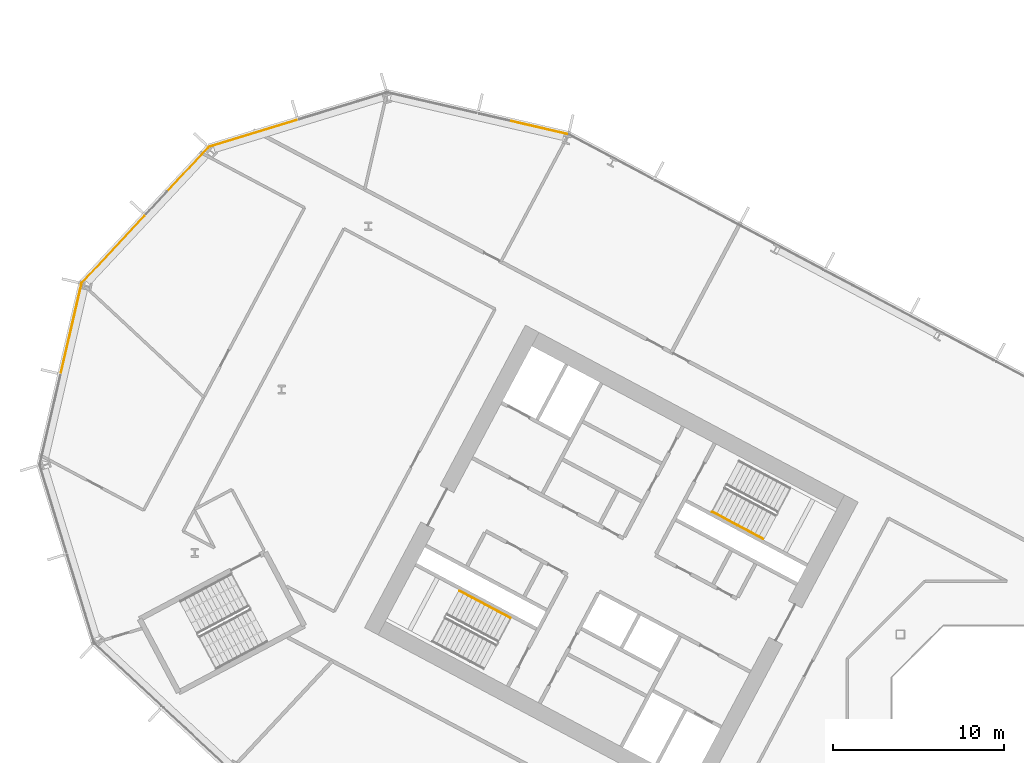
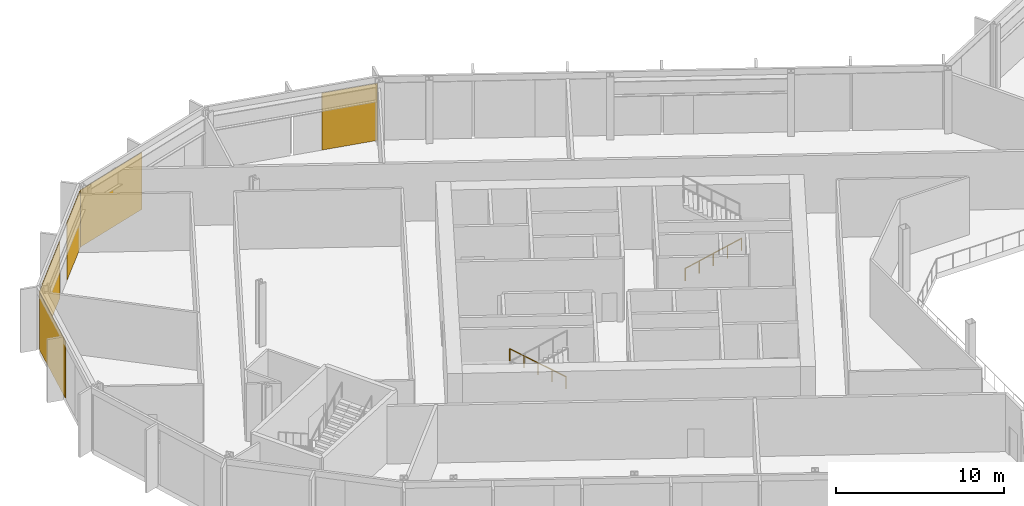
# One storey, part 24 of 31: 5 coverings, 2 railings, 4 elements without a shape of their own.
"""IFC4 building model written with IfcOpenShell, lengths in metres."""

from ifc_helpers import new_model, si_unit, direction, frame, origin, origin_2d, place, context, subcontext, project, spatial, polyline, rectangle, outline, extrude, material, layer, layer_set, type_object, element, aggregate, save


model = new_model("IFC4")

# Units and contexts
model_context = context("Model", 3, precision=1e-05, world=origin(), true_north=direction((0.0, 1.0)))
body_context = subcontext(model_context, "Body", "Model", "MODEL_VIEW")
ifc_project = project(units=[si_unit("LENGTHUNIT", "METRE"), si_unit("AREAUNIT", "SQUARE_METRE"), si_unit("VOLUMEUNIT", "CUBIC_METRE"), si_unit("PLANEANGLEUNIT", "RADIAN"), si_unit("MASSUNIT", "GRAM", prefix="KILO")], contexts=[model_context])

# Site, building, storey
site_placement = place(None, origin())
site = spatial("IfcSite", under=ifc_project, at=site_placement, CompositionType="ELEMENT")
building_placement = place(site_placement, origin())
building = spatial("IfcBuilding", under=site, at=building_placement, Name="Cormorant Relay Tower", CompositionType="ELEMENT")
storey_placement = place(building_placement, frame((0.0, 0.0, 93.800048828125)))
storey = spatial("IfcBuildingStorey", under=building, at=storey_placement, Name="L18", CompositionType="ELEMENT", Elevation=93.800048828125)

# Curtain wall, covering
ifc_material_1 = material(Name="Aluminium 6063-T6 anodised bronze", Category="aluminium")
ifc_layer_1 = layer(ifc_material_1, 0.199951171875)
ifc_layer_set_1 = layer_set([ifc_layer_1], Name="CW1 unitised bronze curtain wall with vertical fins")
curtain_wall_type = type_object("IfcCurtainWallType", Name="CW1 unitised bronze curtain wall with vertical fins", PredefinedType="NOTDEFINED", material=ifc_layer_set_1)
curtain_wall_1_placement = place(storey_placement, origin())
curtain_wall_1 = element("IfcCurtainWall", 1, at=curtain_wall_1_placement, inside=storey, type_object=curtain_wall_type, Name="CW1 curtain wall 8", PredefinedType="NOTDEFINED")
ifc_material_2 = material(Name="Pale bronze anodised aluminium insulated panel", Category="aluminium")
ifc_layer_2 = layer(ifc_material_2, 0.0400390625)
ifc_layer_set_2 = layer_set([ifc_layer_2], Name="CW1 pale bronze insulated panel 40")
covering_type = type_object("IfcCoveringType", Name="CW1 pale bronze insulated panel 40", PredefinedType="CLADDING", material=ifc_layer_set_2)
covering_1_placement = place(storey_placement, frame((-31.640380859375, 40.096435546875, 0.0), z_axis=(0.0, 0.0, 1.0), x_axis=(-0.974370064785, 0.224951054344, 0.0)))
covering_1 = element("IfcCovering", 2, at=covering_1_placement, type_object=covering_type, Name="CW1 panel S00", PredefinedType="CLADDING", context=body_context, shape_type="SweptSolid", body=[
    extrude(rectangle(XDim=3.485107421875, YDim=0.0400390625, at=origin_2d()), origin(), (0.0, 0.0, 1.0), 4.14990234375),
])
aggregate(curtain_wall_1, [covering_1])

curtain_wall_2_placement = place(storey_placement, origin())
curtain_wall_2 = element("IfcCurtainWall", 3, at=curtain_wall_2_placement, inside=storey, type_object=curtain_wall_type, Name="CW1 curtain wall 9", PredefinedType="NOTDEFINED")
covering_2_placement = place(storey_placement, frame((-48.3037109375, 39.73779296875, 0.0), z_axis=(0.0, 0.0, 1.0), x_axis=(-0.956304755963, -0.292371704723, 0.0)))
covering_2 = element("IfcCovering", 4, at=covering_2_placement, type_object=covering_type, Name="CW1 panel S02", PredefinedType="CLADDING", context=body_context, shape_type="SweptSolid", body=[
    extrude(rectangle(XDim=5.360107421875, YDim=0.0400390625, at=origin_2d()), origin(), (0.0, 0.0, 1.0), 4.14990234375),
])
aggregate(curtain_wall_2, [covering_2])

# Curtain wall, coverings
curtain_wall_3_placement = place(storey_placement, origin())
curtain_wall_3 = element("IfcCurtainWall", 5, at=curtain_wall_3_placement, inside=storey, type_object=curtain_wall_type, Name="CW1 curtain wall 10", PredefinedType="NOTDEFINED")
covering_3_placement = place(storey_placement, frame((-52.115234375, 37.61962890625, 0.0), z_axis=(0.0, 0.0, 1.0), x_axis=(-0.681998360062, -0.731353701619, 0.0)))
covering_3 = element("IfcCovering", 6, at=covering_3_placement, type_object=covering_type, Name="CW1 panel S00", PredefinedType="CLADDING", context=body_context, shape_type="SweptSolid", body=[
    extrude(rectangle(XDim=3.485107421875, YDim=0.0400390625, at=origin_2d()), origin(), (0.0, 0.0, 1.0), 4.14990234375),
])
covering_4_placement = place(storey_placement, frame((-56.461181640625, 32.958984375, 0.0), z_axis=(0.0, 0.0, 1.0), x_axis=(-0.681998360062, -0.731353701619, 0.0)))
covering_4 = element("IfcCovering", 7, at=covering_4_placement, type_object=covering_type, Name="CW1 panel S02", PredefinedType="CLADDING", context=body_context, shape_type="SweptSolid", body=[
    extrude(rectangle(XDim=5.360107421875, YDim=0.0400390625, at=origin_2d()), origin(), (0.0, 0.0, 1.0), 4.14990234375),
])
aggregate(curtain_wall_3, [covering_3, covering_4])

# Curtain wall, covering
curtain_wall_4_placement = place(storey_placement, origin())
curtain_wall_4 = element("IfcCurtainWall", 8, at=curtain_wall_4_placement, inside=storey, type_object=curtain_wall_type, Name="CW1 curtain wall 11", PredefinedType="NOTDEFINED")
covering_5_placement = place(storey_placement, frame((-58.905517578125, 28.341796875, 0.0), z_axis=(0.0, 0.0, 1.0), x_axis=(-0.224951054344, -0.974370064785, 0.0)))
covering_5 = element("IfcCovering", 9, at=covering_5_placement, type_object=covering_type, Name="CW1 panel S00", PredefinedType="CLADDING", context=body_context, shape_type="SweptSolid", body=[
    extrude(rectangle(XDim=5.28515625, YDim=0.0400390625, at=origin_2d()), origin(), (0.0, 0.0, 1.0), 4.14990234375),
])
aggregate(curtain_wall_4, [covering_5])

# Railings
ifc_material_3 = material(Name="Steel ASTM A572 Grade 50 (Fy 345 MPa)", Category="steel")
railing_type = type_object("IfcRailingType", Name="Stair handrail 900", PredefinedType="HANDRAIL", material=ifc_material_3)
railing_1_placement = place(storey_placement, frame((-21.478271484375, 17.6494140625, 0.1767578125)))
element("IfcRailing", 10, at=railing_1_placement, inside=storey, type_object=railing_type, Name="L18 A1 stair handrail 1", PredefinedType="HANDRAIL", context=body_context, shape_type="SweptSolid", body=[
    extrude(outline(polyline([(0.022216796875, 0.00927734375), (0.00927734375, 0.022216796875), (-0.00927734375, 0.022216796875), (-0.022216796875, 0.00927734375), (-0.022216796875, -0.00927734375), (-0.00927734375, -0.022216796875), (0.00927734375, -0.022216796875), (0.022216796875, -0.00927734375), (0.022216796875, 0.00927734375)])), frame((0.0, 0.0, 0.8759765625), z_axis=(0.74639798139, -0.396907814001, 0.534185586253), x_axis=(0.469509342547, 0.882927503967, 0.0)), (0.0, 0.0, 1.0), 3.974853515625),
    extrude(outline(polyline([(0.019287109375, 0.008056640625), (0.008056640625, 0.019287109375), (-0.008056640625, 0.019287109375), (-0.019287109375, 0.008056640625), (-0.019287109375, -0.008056640625), (-0.008056640625, -0.019287109375), (0.008056640625, -0.019287109375), (0.019287109375, -0.008056640625), (0.019287109375, 0.008056640625)])), origin(), (0.0, 0.0, 1.0), 0.851806640625),
    extrude(outline(polyline([(0.019287109375, 0.008056640625), (0.008056640625, 0.019287109375), (-0.008056640625, 0.019287109375), (-0.019287109375, 0.008056640625), (-0.019287109375, -0.008056640625), (-0.008056640625, -0.019287109375), (0.008056640625, -0.019287109375), (0.019287109375, -0.008056640625), (0.019287109375, 0.008056640625)])), frame((0.74169921875, -0.39453125, 0.53076171875)), (0.0, 0.0, 1.0), 0.851806640625),
    extrude(outline(polyline([(0.019287109375, 0.008056640625), (0.008056640625, 0.019287109375), (-0.008056640625, 0.019287109375), (-0.019287109375, 0.008056640625), (-0.019287109375, -0.008056640625), (-0.008056640625, -0.019287109375), (0.008056640625, -0.019287109375), (0.019287109375, -0.008056640625), (0.019287109375, 0.008056640625)])), frame((1.4833984375, -0.788818359375, 1.0615234375)), (0.0, 0.0, 1.0), 0.851806640625),
    extrude(outline(polyline([(0.019287109375, 0.008056640625), (0.008056640625, 0.019287109375), (-0.008056640625, 0.019287109375), (-0.019287109375, 0.008056640625), (-0.019287109375, -0.008056640625), (-0.008056640625, -0.019287109375), (0.008056640625, -0.019287109375), (0.019287109375, -0.008056640625), (0.019287109375, 0.008056640625)])), frame((2.22509765625, -1.18310546875, 1.592529296875)), (0.0, 0.0, 1.0), 0.851806640625),
    extrude(outline(polyline([(0.019287109375, 0.008056640625), (0.008056640625, 0.019287109375), (-0.008056640625, 0.019287109375), (-0.019287109375, 0.008056640625), (-0.019287109375, -0.008056640625), (-0.008056640625, -0.019287109375), (0.008056640625, -0.019287109375), (0.019287109375, -0.008056640625), (0.019287109375, 0.008056640625)])), frame((2.966796875, -1.57763671875, 2.123291015625)), (0.0, 0.0, 1.0), 0.851806640625),
])
railing_2_placement = place(storey_placement, frame((-33.264404296875, 11.4580078125, 0.1767578125)))
element("IfcRailing", 11, at=railing_2_placement, inside=storey, type_object=railing_type, Name="L18 A2 stair handrail 1", PredefinedType="HANDRAIL", context=body_context, shape_type="SweptSolid", body=[
    extrude(outline(polyline([(0.022216796875, 0.00927734375), (0.00927734375, 0.022216796875), (-0.00927734375, 0.022216796875), (-0.022216796875, 0.00927734375), (-0.022216796875, -0.00927734375), (-0.00927734375, -0.022216796875), (0.00927734375, -0.022216796875), (0.022216796875, -0.00927734375), (0.022216796875, 0.00927734375)])), frame((0.0, 0.0, 0.8759765625), z_axis=(-0.746416176936, 0.396856066424, 0.534198608526), x_axis=(-0.46945269911, -0.882957622595, 0.0)), (0.0, 0.0, 1.0), 3.974609375),
    extrude(outline(polyline([(0.019287109375, 0.008056640625), (0.008056640625, 0.019287109375), (-0.008056640625, 0.019287109375), (-0.019287109375, 0.008056640625), (-0.019287109375, -0.008056640625), (-0.008056640625, -0.019287109375), (0.008056640625, -0.019287109375), (0.019287109375, -0.008056640625), (0.019287109375, 0.008056640625)])), origin(), (0.0, 0.0, 1.0), 0.851806640625),
    extrude(outline(polyline([(0.019287109375, 0.008056640625), (0.008056640625, 0.019287109375), (-0.008056640625, 0.019287109375), (-0.019287109375, 0.008056640625), (-0.019287109375, -0.008056640625), (-0.008056640625, -0.019287109375), (0.008056640625, -0.019287109375), (0.019287109375, -0.008056640625), (0.019287109375, 0.008056640625)])), frame((-0.74169921875, 0.394287109375, 0.53076171875)), (0.0, 0.0, 1.0), 0.851806640625),
    extrude(outline(polyline([(0.019287109375, 0.008056640625), (0.008056640625, 0.019287109375), (-0.008056640625, 0.019287109375), (-0.019287109375, 0.008056640625), (-0.019287109375, -0.008056640625), (-0.008056640625, -0.019287109375), (0.008056640625, -0.019287109375), (0.019287109375, -0.008056640625), (0.019287109375, 0.008056640625)])), frame((-1.4833984375, 0.78857421875, 1.0615234375)), (0.0, 0.0, 1.0), 0.851806640625),
    extrude(outline(polyline([(0.019287109375, 0.008056640625), (0.008056640625, 0.019287109375), (-0.008056640625, 0.019287109375), (-0.019287109375, 0.008056640625), (-0.019287109375, -0.008056640625), (-0.008056640625, -0.019287109375), (0.008056640625, -0.019287109375), (0.019287109375, -0.008056640625), (0.019287109375, 0.008056640625)])), frame((-2.22509765625, 1.18310546875, 1.592529296875)), (0.0, 0.0, 1.0), 0.851806640625),
    extrude(outline(polyline([(0.019287109375, 0.008056640625), (0.008056640625, 0.019287109375), (-0.008056640625, 0.019287109375), (-0.019287109375, 0.008056640625), (-0.019287109375, -0.008056640625), (-0.008056640625, -0.019287109375), (0.008056640625, -0.019287109375), (0.019287109375, -0.008056640625), (0.019287109375, 0.008056640625)])), frame((-2.966796875, 1.577392578125, 2.123291015625)), (0.0, 0.0, 1.0), 0.851806640625),
])

save(model, "model.ifc")
